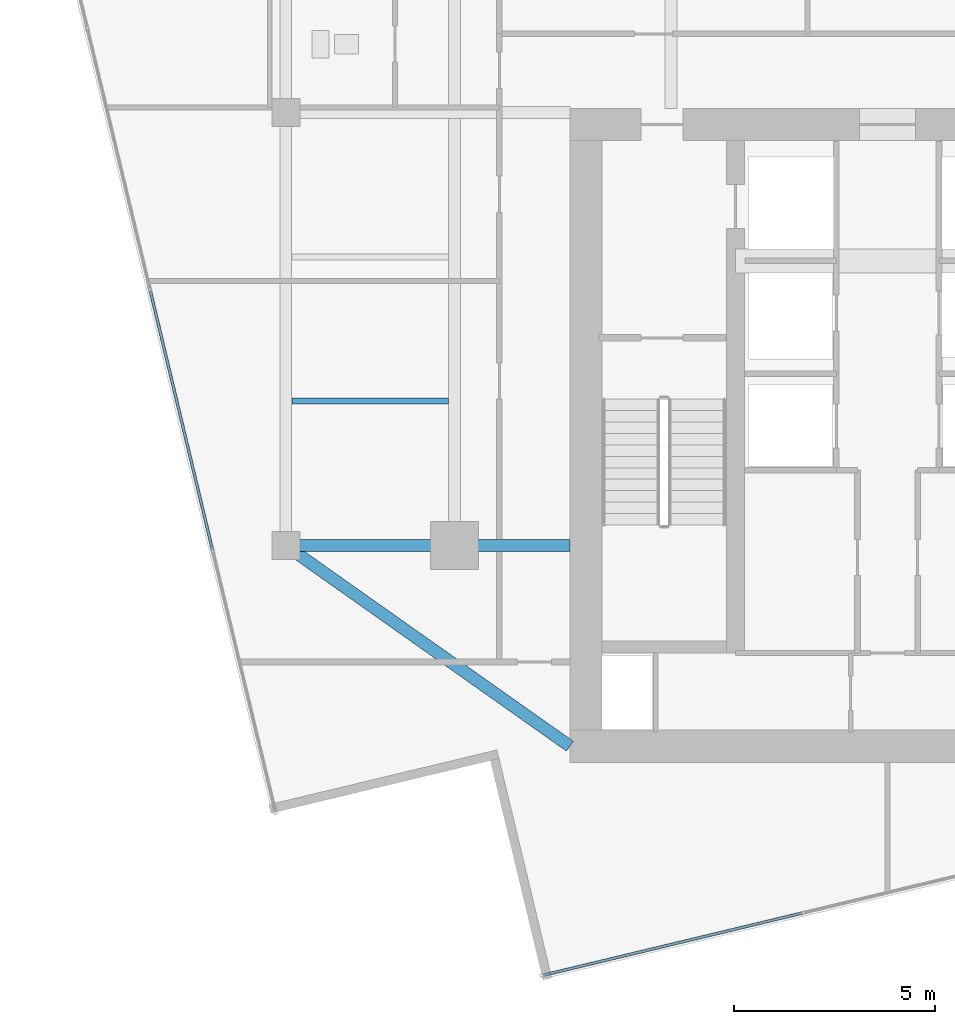
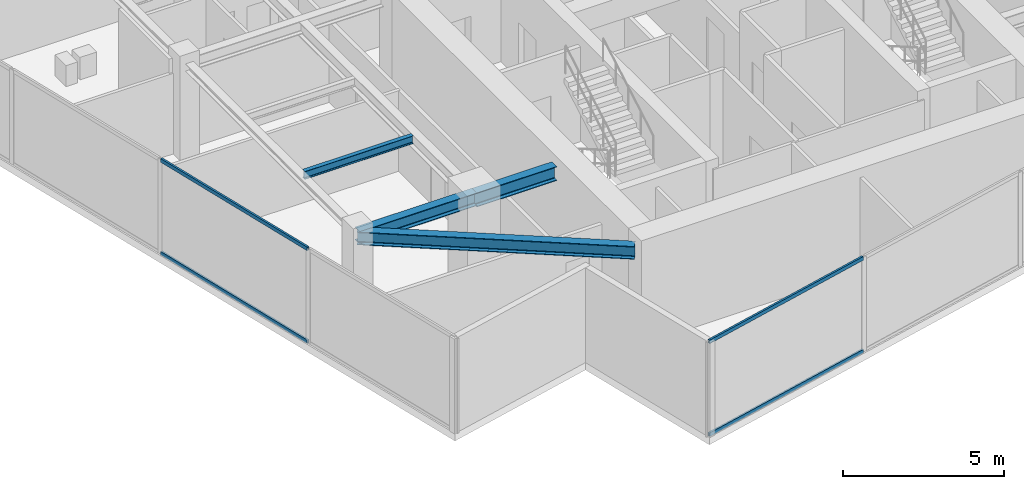
# One storey, part 3 of 22: 4 beams, 4 members, 2 elements without a shape of their own.
"""IFC4 building model written with IfcOpenShell, lengths in metres."""

from ifc_helpers import new_model, si_unit, direction, frame, origin, origin_2d, place, context, subcontext, project, spatial, hollow_rectangle, i_section, extrude, source, transform, mapped, material, material_profile, profile_set, type_object, type_shapes, element, aggregate, save


model = new_model("IFC4")

# Units and contexts
model_context = context("Model", 3, precision=1e-05, world=origin(), true_north=direction((0.0, 1.0)))
body_context = subcontext(model_context, "Body", "Model", "MODEL_VIEW")
ifc_project = project(units=[si_unit("LENGTHUNIT", "METRE"), si_unit("AREAUNIT", "SQUARE_METRE"), si_unit("VOLUMEUNIT", "CUBIC_METRE"), si_unit("PLANEANGLEUNIT", "RADIAN"), si_unit("MASSUNIT", "GRAM", prefix="KILO")], contexts=[model_context])

# Site, building, storey
site_placement = place(None, origin())
site = spatial("IfcSite", under=ifc_project, at=site_placement, CompositionType="ELEMENT")
building_placement = place(site_placement, origin())
building = spatial("IfcBuilding", under=site, at=building_placement, Name="Krantzveldt Concourse Tower", CompositionType="ELEMENT")
storey_placement = place(building_placement, frame((0.0, 0.0, 359.300048828125)))
storey = spatial("IfcBuildingStorey", under=building, at=storey_placement, Name="L88", CompositionType="ELEMENT", Elevation=359.300048828125)

# Beams
ifc_material_1 = material(Name="Steel S355JR", Category="steel")
ifc_material_profile_1 = material_profile(ifc_material_1, i_section(OverallWidth=0.300048828125, OverallDepth=0.489990234375, WebThickness=0.011962890625, FlangeThickness=0.02294921875, FilletRadius=0.027099609375, at=origin_2d()), Name="Steel S355JR", Category="steel")
ifc_profile_set_1 = profile_set([ifc_material_profile_1], Name="Steel S355JR - HEA 500")
beam_type_1 = type_object("IfcBeamType", Name="BM-B-HEA500", PredefinedType="BEAM", material=ifc_profile_set_1)
shared_shape_1 = source(origin(), body_context, "Body", "SweptSolid", [
    extrude(i_section(OverallWidth=0.300048828125, OverallDepth=0.489990234375, WebThickness=0.011962890625, FlangeThickness=0.02294921875, FilletRadius=0.027099609375, at=origin_2d()), origin(), (0.0, 0.0, 1.0), 4.199951171875),
])
beam_1_placement = place(storey_placement, frame((21.0, 15.89990234375, 3.35498046875), z_axis=(1.0, 0.0, 0.0), x_axis=(0.0, 1.0, 0.0)))
element("IfcBeam", 1, at=beam_1_placement, inside=storey, type_object=beam_type_1, Name="L88 Tower Girder BR-RL1", PredefinedType="BEAM", context=body_context, shape_type="MappedRepresentation", body=[
    mapped(shared_shape_1, transform((0.0, 0.0, 0.0), x_axis=(1.0, 0.0, 0.0), y_axis=(0.0, 1.0, 0.0), z_axis=(0.0, 0.0, 1.0), scale=1.0)),
])
shared_shape_2 = source(origin(), body_context, "Body", "SweptSolid", [
    extrude(i_section(OverallWidth=0.300048828125, OverallDepth=0.489990234375, WebThickness=0.011962890625, FlangeThickness=0.02294921875, FilletRadius=0.027099609375, at=origin_2d()), origin(), (0.0, 0.0, 1.0), 8.667724609375),
])
type_shapes(beam_type_1, [shared_shape_1, shared_shape_2])
beam_2_placement = place(storey_placement, frame((21.0, 15.89990234375, 3.35498046875), z_axis=(0.81684294656, -0.576860122261, 0.0), x_axis=(0.576860122261, 0.81684294656, 0.0)))
element("IfcBeam", 2, at=beam_2_placement, inside=storey, type_object=beam_type_1, Name="L88 Tower Girder BR-CSW", PredefinedType="BEAM", context=body_context, shape_type="MappedRepresentation", body=[
    mapped(shared_shape_2, transform((0.0, 0.0, 0.0), x_axis=(1.0, 0.0, 0.0), y_axis=(0.0, 1.0, 0.0), z_axis=(0.0, 0.0, 1.0), scale=1.0)),
])
ifc_material_profile_2 = material_profile(ifc_material_1, i_section(OverallWidth=0.300048828125, OverallDepth=0.5400390625, WebThickness=0.012451171875, FlangeThickness=0.02392578125, FilletRadius=0.027099609375, at=origin_2d()), Name="Steel S355JR", Category="steel")
ifc_profile_set_2 = profile_set([ifc_material_profile_2], Name="Steel S355JR - HEA 550")
beam_type_2 = type_object("IfcBeamType", Name="BM-B-HEA550", PredefinedType="BEAM", material=ifc_profile_set_2)
shared_shape_3 = source(origin(), body_context, "Body", "SweptSolid", [
    extrude(i_section(OverallWidth=0.300048828125, OverallDepth=0.5400390625, WebThickness=0.012451171875, FlangeThickness=0.02392578125, FilletRadius=0.027099609375, at=origin_2d()), origin(), (0.0, 0.0, 1.0), 2.880126953125),
])
type_shapes(beam_type_2, [shared_shape_3])
beam_3_placement = place(storey_placement, frame((25.199951171875, 15.89990234375, 3.329833984375), z_axis=(1.0, 0.0, 0.0), x_axis=(0.0, 1.0, 0.0)))
element("IfcBeam", 3, at=beam_3_placement, inside=storey, type_object=beam_type_2, Name="L88 Tower Girder BG-CW1", PredefinedType="BEAM", context=body_context, shape_type="MappedRepresentation", body=[
    mapped(shared_shape_3, transform((0.0, 0.0, 0.0), x_axis=(1.0, 0.0, 0.0), y_axis=(0.0, 1.0, 0.0), z_axis=(0.0, 0.0, 1.0), scale=1.0)),
])
ifc_material_profile_3 = material_profile(ifc_material_1, i_section(OverallWidth=0.14990234375, OverallDepth=0.300048828125, WebThickness=0.007080078125, FlangeThickness=0.0107421875, FilletRadius=0.014892578125, at=origin_2d()), Name="Steel S355JR", Category="steel")
ifc_profile_set_3 = profile_set([ifc_material_profile_3], Name="Steel S355JR - IPE 300")
beam_type_3 = type_object("IfcBeamType", Name="BM-J-IPE300", PredefinedType="JOIST", material=ifc_profile_set_3)
shared_shape_4 = source(origin(), body_context, "Body", "SweptSolid", [
    extrude(i_section(OverallWidth=0.14990234375, OverallDepth=0.300048828125, WebThickness=0.007080078125, FlangeThickness=0.0107421875, FilletRadius=0.014892578125, at=origin_2d()), origin(), (0.0, 0.0, 1.0), 3.900146484375),
])
type_shapes(beam_type_3, [shared_shape_4])
beam_4_placement = place(storey_placement, frame((21.14990234375, 19.5, 3.449951171875), z_axis=(1.0, 0.0, 0.0), x_axis=(0.0, 1.0, 0.0)))
element("IfcBeam", 4, at=beam_4_placement, inside=storey, type_object=beam_type_3, Name="L88 Secondary Floor Joist JW-1", PredefinedType="JOIST", context=body_context, shape_type="MappedRepresentation", body=[
    mapped(shared_shape_4, transform((0.0, 0.0, 0.0), x_axis=(1.0, 0.0, 0.0), y_axis=(0.0, 1.0, 0.0), z_axis=(0.0, 0.0, 1.0), scale=1.0)),
])

# Curtain wall, members
ifc_material_2 = material(Name="Anodised aluminium 6063-T6", Category="aluminium")
curtain_wall_type = type_object("IfcCurtainWallType", Name="CW4", PredefinedType="USERDEFINED", material=ifc_material_2)
curtain_wall_1_placement = place(storey_placement, origin())
curtain_wall_1 = element("IfcCurtainWall", 5, at=curtain_wall_1_placement, inside=storey, type_object=curtain_wall_type, Name="CW-L88-F07", ObjectType="UNITISED CURTAIN WALL", PredefinedType="USERDEFINED")
ifc_material_profile_4 = material_profile(ifc_material_2, hollow_rectangle(XDim=0.070068359375, YDim=0.139892578125, WallThickness=0.0048828125, at=origin_2d()), Name="Anodised aluminium 6063-T6", Category="aluminium")
ifc_profile_set_4 = profile_set([ifc_material_profile_4], Name="Anodised aluminium 6063-T6 - ALU-TRAN 140x70x5")
member_type = type_object("IfcMemberType", Name="CW-TRN-150", PredefinedType="USERDEFINED", material=ifc_profile_set_4)
shared_shape_5 = source(origin(), body_context, "Body", "SweptSolid", [
    extrude(hollow_rectangle(XDim=0.070068359375, YDim=0.139892578125, WallThickness=0.0048828125, at=origin_2d()), origin(), (0.0, 0.0, 1.0), 6.594970703125),
])
member_1_placement = place(storey_placement, frame((27.45263671875, 5.20068359375, 0.034912109375), z_axis=(0.972371170466, 0.233440156887, 0.0), x_axis=(-0.233440156887, 0.972371170466, 0.0)))
member_1 = element("IfcMember", 6, at=member_1_placement, type_object=member_type, Name="CW-Z56 transom 1.1", ObjectType="TRANSOM", PredefinedType="USERDEFINED", context=body_context, shape_type="MappedRepresentation", body=[
    mapped(shared_shape_5, transform((0.0, 0.0, 0.0), x_axis=(1.0, 0.0, 0.0), y_axis=(0.0, 1.0, 0.0), z_axis=(0.0, 0.0, 1.0), scale=1.0)),
])
member_2_placement = place(storey_placement, frame((27.45263671875, 5.20068359375, 3.56494140625), z_axis=(0.972371170466, 0.233440156887, 0.0), x_axis=(-0.233440156887, 0.972371170466, 0.0)))
member_2 = element("IfcMember", 7, at=member_2_placement, type_object=member_type, Name="CW-Z56 transom 1.2", ObjectType="TRANSOM", PredefinedType="USERDEFINED", context=body_context, shape_type="MappedRepresentation", body=[
    mapped(shared_shape_5, transform((0.0, 0.0, 0.0), x_axis=(1.0, 0.0, 0.0), y_axis=(0.0, 1.0, 0.0), z_axis=(0.0, 0.0, 1.0), scale=1.0)),
])
aggregate(curtain_wall_1, [member_1, member_2])

curtain_wall_2_placement = place(storey_placement, origin())
curtain_wall_2 = element("IfcCurtainWall", 8, at=curtain_wall_2_placement, inside=storey, type_object=curtain_wall_type, Name="CW-L88-F04", ObjectType="UNITISED CURTAIN WALL", PredefinedType="USERDEFINED")
shared_shape_6 = source(origin(), body_context, "Body", "SweptSolid", [
    extrude(hollow_rectangle(XDim=0.070068359375, YDim=0.139892578125, WallThickness=0.0048828125, at=origin_2d()), origin(), (0.0, 0.0, 1.0), 6.6298828125),
])
type_shapes(member_type, [shared_shape_5, shared_shape_6])
member_3_placement = place(storey_placement, frame((17.62060546875, 22.25146484375, 0.034912109375), z_axis=(0.233462085953, -0.972365905625, 0.0), x_axis=(0.972365905625, 0.233462085953, 0.0)))
member_3 = element("IfcMember", 9, at=member_3_placement, type_object=member_type, Name="CW-Z56 transom 3.1", ObjectType="TRANSOM", PredefinedType="USERDEFINED", context=body_context, shape_type="MappedRepresentation", body=[
    mapped(shared_shape_6, transform((0.0, 0.0, 0.0), x_axis=(1.0, 0.0, 0.0), y_axis=(0.0, 1.0, 0.0), z_axis=(0.0, 0.0, 1.0), scale=1.0)),
])
member_4_placement = place(storey_placement, frame((17.62060546875, 22.25146484375, 3.56494140625), z_axis=(0.233462085953, -0.972365905625, 0.0), x_axis=(0.972365905625, 0.233462085953, 0.0)))
member_4 = element("IfcMember", 10, at=member_4_placement, type_object=member_type, Name="CW-Z56 transom 3.2", ObjectType="TRANSOM", PredefinedType="USERDEFINED", context=body_context, shape_type="MappedRepresentation", body=[
    mapped(shared_shape_6, transform((0.0, 0.0, 0.0), x_axis=(1.0, 0.0, 0.0), y_axis=(0.0, 1.0, 0.0), z_axis=(0.0, 0.0, 1.0), scale=1.0)),
])
aggregate(curtain_wall_2, [member_3, member_4])

save(model, "model.ifc")
